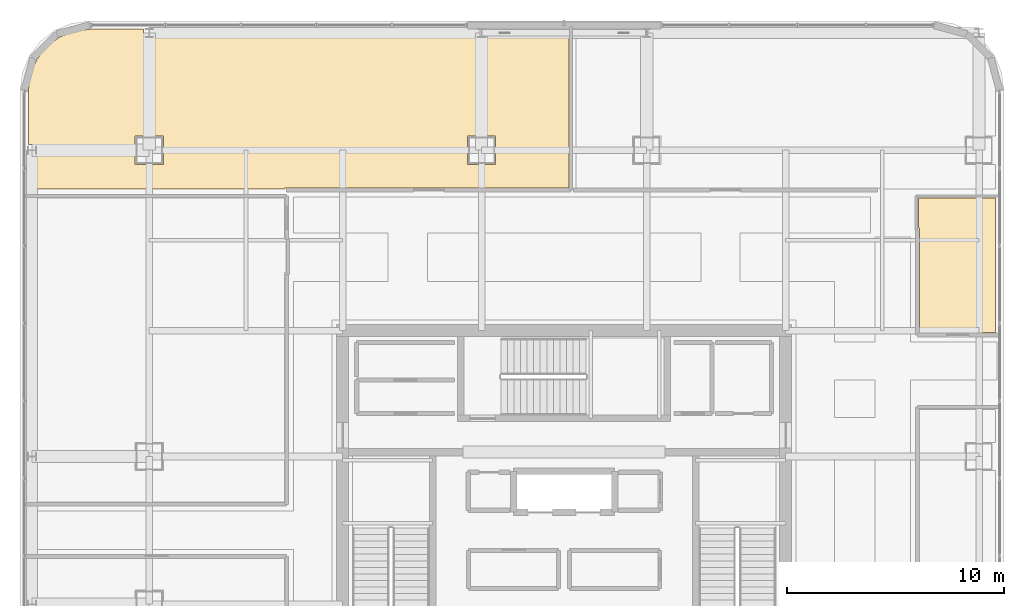
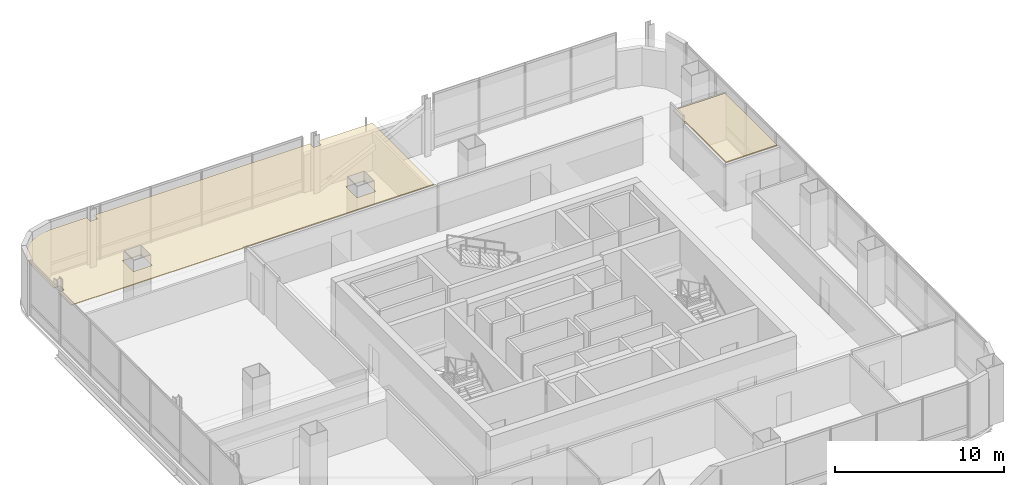
# One storey, part 41 of 43: 2 coverings.
"""IFC4 building model written with IfcOpenShell, lengths in metres."""

from ifc_helpers import new_model, si_unit, direction, frame, origin, place, context, subcontext, project, spatial, polyline, outline, extrude, material, layer, layer_set, type_object, element, save


model = new_model("IFC4")

# Units and contexts
model_context = context("Model", 3, precision=1e-05, world=origin(), true_north=direction((0.0, 1.0)))
body_context = subcontext(model_context, "Body", "Model", "MODEL_VIEW")
ifc_project = project(units=[si_unit("LENGTHUNIT", "METRE"), si_unit("AREAUNIT", "SQUARE_METRE"), si_unit("VOLUMEUNIT", "CUBIC_METRE"), si_unit("PLANEANGLEUNIT", "RADIAN"), si_unit("MASSUNIT", "GRAM", prefix="KILO")], contexts=[model_context])

# Site, building, storey
site_placement = place(None, origin())
site = spatial("IfcSite", under=ifc_project, at=site_placement, CompositionType="ELEMENT")
building_placement = place(site_placement, origin())
building = spatial("IfcBuilding", under=site, at=building_placement, Name="Punatoya Terracotta Tower", CompositionType="ELEMENT")
storey_placement = place(building_placement, frame((0.0, 0.0, 300.60009765625)))
storey = spatial("IfcBuildingStorey", under=building, at=storey_placement, Name="L71", CompositionType="ELEMENT", Elevation=300.60009765625)

# Coverings
ifc_material = material(Name="Acoustic Mineral Fibre Ceiling")
ifc_layer = layer(ifc_material, 0.06005859375)
ifc_layer_set = layer_set([ifc_layer], Name="Acoustic Mineral Fibre Ceiling")
covering_type = type_object("IfcCoveringType", Name="COV-CEIL-60", PredefinedType="CEILING", material=ifc_layer_set)
covering_1_placement = place(storey_placement, frame((0.0, 0.0, 3.389892578125)))
element("IfcCovering", 1, at=covering_1_placement, inside=storey, type_object=covering_type, Name="L71 Case-Study Classroom Acoustic Ceiling", PredefinedType="CEILING", context=body_context, shape_type="SweptSolid", body=[
    extrude(outline(polyline([(16.31005859375, 13.919921875), (16.3701171875, 13.919921875), (16.3701171875, 9.10009765625), (19.8701171875, 9.10009765625), (19.8701171875, 15.2900390625), (16.31005859375, 15.2900390625), (16.31005859375, 13.919921875)])), origin(), (0.0, 0.0, 1.0), 0.06005859375),
])
covering_2_placement = place(storey_placement, frame((0.0, 0.0, 3.389892578125)))
element("IfcCovering", 2, at=covering_2_placement, inside=storey, type_object=covering_type, Name="L71 Symposium Colloquium Room Acoustic Ceiling", PredefinedType="CEILING", context=body_context, shape_type="SweptSolid", body=[
    extrude(outline(polyline([(-18.846923828125, 23.070068359375), (-18.846923828125, 22.64208984375), (-19.35302734375, 22.64208984375), (-19.35302734375, 23.070068359375), (-21.8251953125, 23.070068359375), (-22.5791015625, 22.970703125), (-23.25830078125, 22.689453125), (-23.841796875, 22.24169921875), (-24.289306640625, 21.658203125), (-24.57080078125, 20.97900390625), (-24.669921875, 20.22509765625), (-24.669921875, 17.758056640625), (-24.2470703125, 17.758056640625), (-24.2470703125, 17.241943359375), (-24.669921875, 17.241943359375), (-24.669921875, 15.7099609375), (-12.8701171875, 15.7099609375), (-12.8701171875, 15.77001953125), (0.218017578125, 15.77001953125), (0.218017578125, 23.070068359375), (-3.547119140625, 23.070068359375), (-3.547119140625, 22.64208984375), (-4.052978515625, 22.64208984375), (-4.052978515625, 23.070068359375), (-18.846923828125, 23.070068359375)]), holes=[polyline([(-4.449951171875, 16.85009765625), (-4.449951171875, 18.14990234375), (-3.14990234375, 18.14990234375), (-3.14990234375, 16.85009765625), (-4.449951171875, 16.85009765625)]), polyline([(-19.75, 18.14990234375), (-18.449951171875, 18.14990234375), (-18.449951171875, 16.85009765625), (-19.75, 16.85009765625), (-19.75, 18.14990234375)])]), origin(), (0.0, 0.0, 1.0), 0.06005859375),
])

save(model, "model.ifc")
